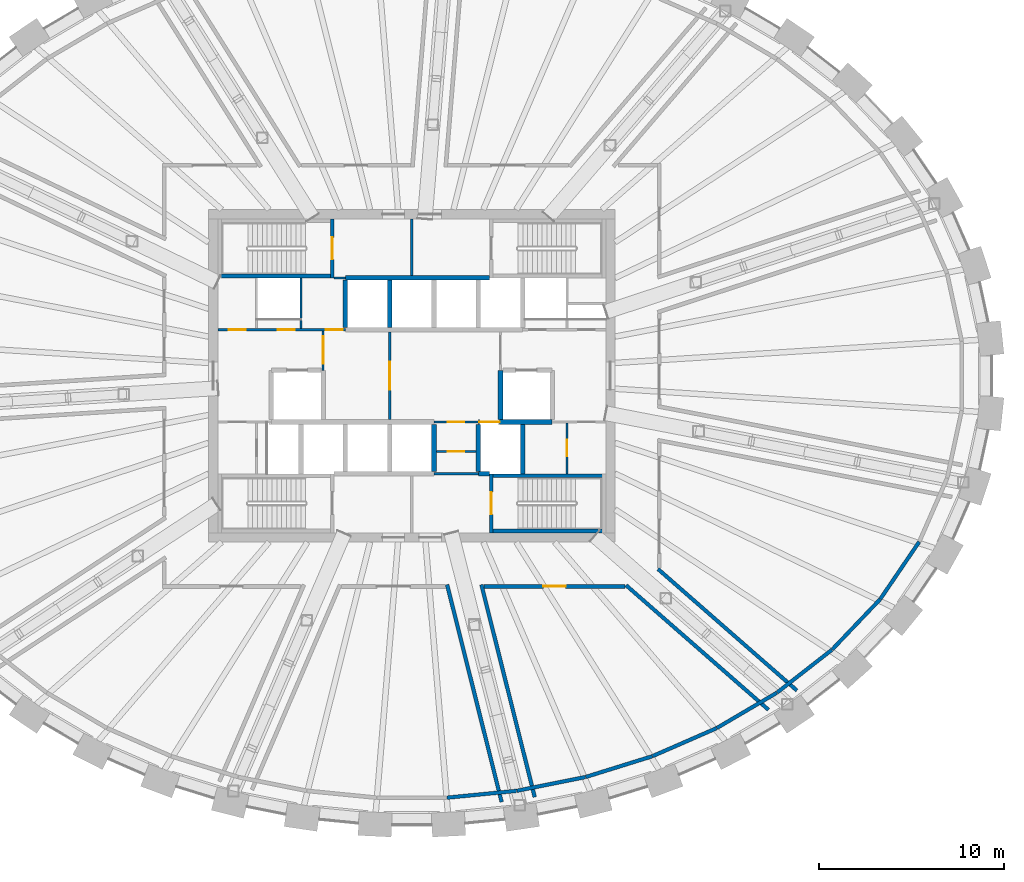
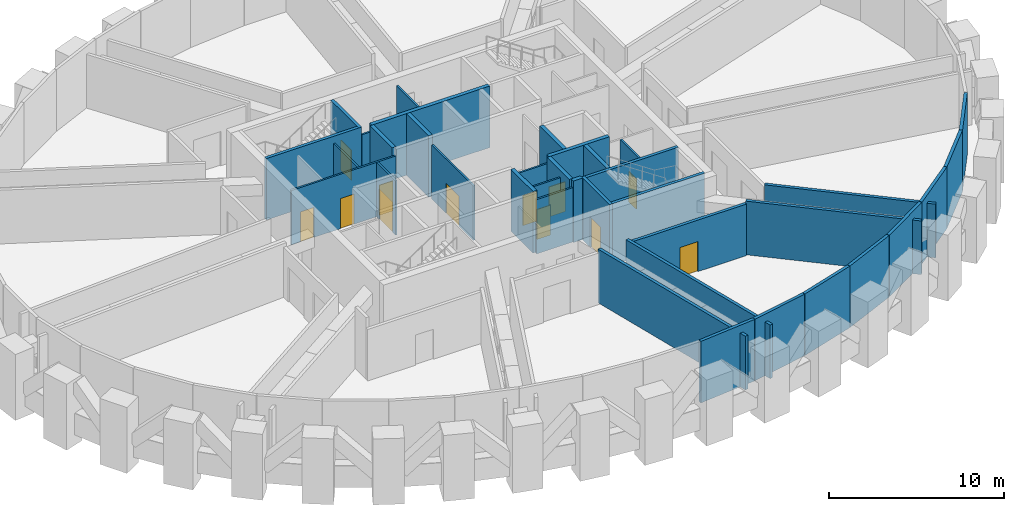
# One storey, part 8 of 12: 37 walls, 12 doors, 12 openings.
"""IFC4 building model written with IfcOpenShell, lengths in metres."""

from ifc_helpers import new_model, si_unit, direction, frame, frame_2d, origin, place, context, subcontext, project, spatial, rectangle, extrude, source, transform, mapped, material, layer, layer_set, type_object, element, fill, save


model = new_model("IFC4")

# Units and contexts
model_context = context("Model", 3, precision=1e-05, world=origin(), true_north=direction((0.0, 1.0)))
body_context = subcontext(model_context, "Body", "Model", "MODEL_VIEW")
ifc_project = project(units=[si_unit("LENGTHUNIT", "METRE"), si_unit("AREAUNIT", "SQUARE_METRE"), si_unit("VOLUMEUNIT", "CUBIC_METRE"), si_unit("PLANEANGLEUNIT", "RADIAN"), si_unit("MASSUNIT", "GRAM", prefix="KILO")], contexts=[model_context])

# Site, building, storey
site_placement = place(None, origin())
site = spatial("IfcSite", under=ifc_project, at=site_placement, CompositionType="ELEMENT")
building_placement = place(site_placement, origin())
building = spatial("IfcBuilding", under=site, at=building_placement, Name="Embergate Tower", CompositionType="ELEMENT")
storey_placement = place(building_placement, frame((0.0, 0.0, 289.0)))
storey = spatial("IfcBuildingStorey", under=building, at=storey_placement, Name="L67", CompositionType="ELEMENT", Elevation=289.0)

# Walls
ifc_material_1 = material(Name="Terracotta louvre cladding on insulated backing", Category="masonry")
ifc_layer_1 = layer(ifc_material_1, 0.199951171875)
ifc_layer_set_1 = layer_set([ifc_layer_1], Name="Terracotta louvre cladding on insulated backing")
wall_type_1 = type_object("IfcWallType", Name="Terracotta louvre wall", PredefinedType="SOLIDWALL", material=ifc_layer_set_1)
shared_shape_1 = source(origin(), body_context, "Body", "SweptSolid", [
    extrude(rectangle(XDim=3.7451171875, YDim=0.199951171875, at=frame_2d((1.87255859375, 0.0))), origin(), (0.0, 0.0, 1.0), 4.300048828125),
])
wall_1_placement = place(storey_placement, frame((27.46142578125, -8.987060546875, 0.0), z_axis=(0.0, 0.0, 1.0), x_axis=(-0.562318936697, -0.826920439602, 0.0)))
element("IfcWall", 1, at=wall_1_placement, inside=storey, type_object=wall_type_1, Name="Louvre wall 41", PredefinedType="SOLIDWALL", context=body_context, shape_type="MappedRepresentation", body=[
    mapped(shared_shape_1, transform((0.0, 0.0, 0.0))),
])
shared_shape_2 = source(origin(), body_context, "Body", "SweptSolid", [
    extrude(rectangle(XDim=3.75390625, YDim=0.199951171875, at=frame_2d((1.876953125, 0.0))), origin(), (0.0, 0.0, 1.0), 4.300048828125),
])
wall_2_placement = place(storey_placement, frame((25.343017578125, -12.099365234375, 0.0), z_axis=(0.0, 0.0, 1.0), x_axis=(-0.690161680949, -0.723655203913, 0.0)))
element("IfcWall", 2, at=wall_2_placement, inside=storey, type_object=wall_type_1, Name="Louvre wall 40", PredefinedType="SOLIDWALL", context=body_context, shape_type="MappedRepresentation", body=[
    mapped(shared_shape_2, transform((0.0, 0.0, 0.0))),
])
shared_shape_3 = source(origin(), body_context, "Body", "SweptSolid", [
    extrude(rectangle(XDim=3.760986328125, YDim=0.199951171875, at=frame_2d((1.88037109375, 0.0))), origin(), (0.0, 0.0, 1.0), 4.300048828125),
])
wall_3_placement = place(storey_placement, frame((22.737548828125, -14.8291015625, 0.0), z_axis=(0.0, 0.0, 1.0), x_axis=(-0.788291977809, -0.615301355209, 0.0)))
element("IfcWall", 3, at=wall_3_placement, inside=storey, type_object=wall_type_1, Name="Louvre wall 39", PredefinedType="SOLIDWALL", context=body_context, shape_type="MappedRepresentation", body=[
    mapped(shared_shape_3, transform((0.0, 0.0, 0.0))),
])
shared_shape_4 = source(origin(), body_context, "Body", "SweptSolid", [
    extrude(rectangle(XDim=3.76708984375, YDim=0.199951171875, at=frame_2d((1.883544921875, 0.0))), origin(), (0.0, 0.0, 1.0), 4.300048828125),
])
wall_4_placement = place(storey_placement, frame((19.756103515625, -17.154541015625, 0.0), z_axis=(0.0, 0.0, 1.0), x_axis=(-0.86206746529, -0.506793533195, 0.0)))
element("IfcWall", 4, at=wall_4_placement, inside=storey, type_object=wall_type_1, Name="Louvre wall 38", PredefinedType="SOLIDWALL", context=body_context, shape_type="MappedRepresentation", body=[
    mapped(shared_shape_4, transform((0.0, 0.0, 0.0))),
])
shared_shape_5 = source(origin(), body_context, "Body", "SweptSolid", [
    extrude(rectangle(XDim=3.771728515625, YDim=0.199951171875, at=frame_2d((1.8857421875, 0.0))), origin(), (0.0, 0.0, 1.0), 4.300048828125),
])
wall_5_placement = place(storey_placement, frame((16.490966796875, -19.072998046875, 0.0), z_axis=(0.0, 0.0, 1.0), x_axis=(-0.916247932971, -0.400611688955, 0.0)))
element("IfcWall", 5, at=wall_5_placement, inside=storey, type_object=wall_type_1, Name="Louvre wall 37", PredefinedType="SOLIDWALL", context=body_context, shape_type="MappedRepresentation", body=[
    mapped(shared_shape_5, transform((0.0, 0.0, 0.0))),
])
shared_shape_6 = source(origin(), body_context, "Body", "SweptSolid", [
    extrude(rectangle(XDim=3.77490234375, YDim=0.199951171875, at=frame_2d((1.887451171875, 0.0))), origin(), (0.0, 0.0, 1.0), 4.300048828125),
])
wall_6_placement = place(storey_placement, frame((13.016357421875, -20.5908203125, 0.0), z_axis=(0.0, 0.0, 1.0), x_axis=(-0.954763782536, -0.297365296491, 0.0)))
element("IfcWall", 6, at=wall_6_placement, inside=storey, type_object=wall_type_1, Name="Louvre wall 36", PredefinedType="SOLIDWALL", context=body_context, shape_type="MappedRepresentation", body=[
    mapped(shared_shape_6, transform((0.0, 0.0, 0.0))),
])
shared_shape_7 = source(origin(), body_context, "Body", "SweptSolid", [
    extrude(rectangle(XDim=3.777099609375, YDim=0.199951171875, at=frame_2d((1.888671875, 0.0))), origin(), (0.0, 0.0, 1.0), 4.300048828125),
])
wall_7_placement = place(storey_placement, frame((9.392822265625, -21.71826171875, 0.0), z_axis=(0.0, 0.0, 1.0), x_axis=(-0.980466152675, -0.196687883354, 0.0)))
element("IfcWall", 7, at=wall_7_placement, inside=storey, type_object=wall_type_1, Name="Louvre wall 35", PredefinedType="SOLIDWALL", context=body_context, shape_type="MappedRepresentation", body=[
    mapped(shared_shape_7, transform((0.0, 0.0, 0.0))),
])
shared_shape_8 = source(origin(), body_context, "Body", "SweptSolid", [
    extrude(rectangle(XDim=3.7783203125, YDim=0.199951171875, at=frame_2d((1.88916015625, 0.0))), origin(), (0.0, 0.0, 1.0), 4.300048828125),
])
wall_8_placement = place(storey_placement, frame((5.669677734375, -22.464111328125, 0.0), z_axis=(0.0, 0.0, 1.0), x_axis=(-0.995203394133, -0.097827421031, 0.0)))
element("IfcWall", 8, at=wall_8_placement, inside=storey, type_object=wall_type_1, Name="Louvre wall 34", PredefinedType="SOLIDWALL", context=body_context, shape_type="MappedRepresentation", body=[
    mapped(shared_shape_8, transform((0.0, 0.0, 0.0))),
])
ifc_material_2 = material(Name="Concrete C50", Category="concrete")
ifc_layer_2 = layer(ifc_material_2, 0.25)
ifc_layer_set_2 = layer_set([ifc_layer_2], Name="Concrete C50")
wall_type_2 = type_object("IfcWallType", Name="Hoistway wall reinforced concrete 250", PredefinedType="SHEAR", material=ifc_layer_set_2)
shared_shape_9 = source(origin(), body_context, "Body", "SweptSolid", [
    extrude(rectangle(XDim=2.675048828125, YDim=0.25, at=frame_2d((1.33740234375, 0.0))), origin(), (0.0, 0.0, 1.0), 4.300048828125),
])
for number, where, z_axis, x_axis, name in (
    (9, (6.0, -5.300048828125, 0.0), (0.0, 0.0, 1.0), (0.0, 1.0, 0.0), "HW-1 wall"),
    (10, (4.800048828125, -2.375, 0.0), (0.0, 0.0, 1.0), (0.0, 1.0, 0.0), "HW-1 wall"),
):
    element("IfcWall", number, at=place(storey_placement, frame(where, z_axis=z_axis, x_axis=x_axis)), inside=storey, type_object=wall_type_2, Name=name, PredefinedType="SHEAR", context=body_context, shape_type="MappedRepresentation", body=[
        mapped(shared_shape_9, transform((0.0, 0.0, 0.0))),
    ])
ifc_layer_3 = layer(ifc_material_2, 0.199951171875)
ifc_layer_set_3 = layer_set([ifc_layer_3], Name="Concrete C50")
wall_type_3 = type_object("IfcWallType", Name="Stair enclosure wall reinforced concrete 250", PredefinedType="SHEAR", material=ifc_layer_set_3)
shared_shape_10 = source(origin(), body_context, "Body", "SweptSolid", [
    extrude(rectangle(XDim=6.300048828125, YDim=0.199951171875, at=frame_2d((3.14990234375, 0.0))), origin(), (0.0, 0.0, 1.0), 4.300048828125),
])
for number, where, z_axis, x_axis, name in (
    (11, (-4.199951171875, 5.39990234375, 0.0), (0.0, 0.0, 1.0), (-1.0, 0.0, 0.0), "SE-1 wall"),
    (12, (4.199951171875, -5.39990234375, 0.0), (0.0, 0.0, 1.0), (1.0, 0.0, 0.0), "SE-1 wall"),
):
    element("IfcWall", number, at=place(storey_placement, frame(where, z_axis=z_axis, x_axis=x_axis)), inside=storey, type_object=wall_type_3, Name=name, PredefinedType="SHEAR", context=body_context, shape_type="MappedRepresentation", body=[
        mapped(shared_shape_10, transform((0.0, 0.0, 0.0))),
    ])
shared_shape_11 = source(origin(), body_context, "Body", "SweptSolid", [
    extrude(rectangle(XDim=2.550048828125, YDim=0.25, at=frame_2d((1.27490234375, 0.0))), origin(), (0.0, 0.0, 1.0), 4.300048828125),
])
for number, where, z_axis, x_axis, name in (
    (13, (-1.199951171875, 2.625, 0.0), (0.0, 0.0, 1.0), (0.0, 1.0, 0.0), "HW-1 wall"),
    (14, (-3.60009765625, 5.175048828125, 0.0), (0.0, 0.0, 1.0), (0.0, -1.0, 0.0), "HW-1 wall"),
    (15, (1.199951171875, -5.175048828125, 0.0), (0.0, 0.0, 1.0), (0.0, 1.0, 0.0), "HW-1 wall"),
    (16, (3.60009765625, -2.625, 0.0), (0.0, 0.0, 1.0), (0.0, -1.0, 0.0), "HW-1 wall"),
):
    element("IfcWall", number, at=place(storey_placement, frame(where, z_axis=z_axis, x_axis=x_axis)), inside=storey, type_object=wall_type_2, Name=name, PredefinedType="SHEAR", context=body_context, shape_type="MappedRepresentation", body=[
        mapped(shared_shape_11, transform((0.0, 0.0, 0.0))),
    ])

# Wall, opening, door
shared_shape_12 = source(origin(), body_context, "Body", "SweptSolid", [
    extrude(rectangle(XDim=3.199951171875, YDim=0.199951171875, at=frame_2d((1.60009765625, 0.0))), origin(), (0.0, 0.0, 1.0), 4.300048828125),
])
wall_9_placement = place(storey_placement, frame((-4.300048828125, 5.300048828125, 0.0), z_axis=(0.0, 0.0, 1.0), x_axis=(0.0, 1.0, 0.0)))
wall_9 = element("IfcWall", 17, at=wall_9_placement, inside=storey, type_object=wall_type_3, Name="SE-1 wall", PredefinedType="SHEAR", context=body_context, shape_type="MappedRepresentation", body=[
    mapped(shared_shape_12, transform((0.0, 0.0, 0.0))),
])
shared_shape_13 = source(origin(), body_context, "Body", "SweptSolid", [
    extrude(rectangle(XDim=1.199951171875, YDim=2.10009765625, at=frame_2d((0.60009765625, 1.050048828125))), frame((0.0, 0.10986328125, 0.0), z_axis=(0.0, -1.0, 0.0), x_axis=(1.0, 0.0, 0.0)), (0.0, 0.0, 1.0), 0.219970703125),
])
opening_1_placement = place(wall_9_placement, frame((1.0, 0.0, 0.0)))
opening_1 = element("IfcOpeningElement", 18, at=opening_1_placement, cuts=wall_9, Name="Opening IF-2", PredefinedType="OPENING", context=body_context, shape_type="MappedRepresentation", body=[
    mapped(shared_shape_13, transform((0.0, 0.0, 0.0))),
])
ifc_material_3 = material(Name="Stair enclosure door 1200")
door_type_1 = type_object("IfcDoorType", Name="Stair enclosure door 1200", OperationType="SINGLE_SWING_LEFT", PredefinedType="DOOR", material=ifc_material_3)
shared_shape_14 = source(origin(), body_context, "Body", "SweptSolid", [
    extrude(rectangle(XDim=1.199951171875, YDim=2.10009765625, at=frame_2d((0.60009765625, 1.050048828125))), frame((0.0, 0.02490234375, 0.0), z_axis=(0.0, -1.0, 0.0), x_axis=(1.0, 0.0, 0.0)), (0.0, 0.0, 1.0), 0.050048828125),
])
door_1_placement = place(opening_1_placement, origin())
door_1 = element("IfcDoor", 19, at=door_1_placement, inside=storey, type_object=door_type_1, Name="IF-2 door", OperationType="SINGLE_SWING_LEFT", OverallHeight=2.10009765625, OverallWidth=1.199951171875, PredefinedType="DOOR", context=body_context, shape_type="MappedRepresentation", body=[
    mapped(shared_shape_14, transform((0.0, 0.0, 0.0))),
])
fill(opening_1, door_1)

wall_10_placement = place(storey_placement, frame((4.300048828125, -5.300048828125, 0.0), z_axis=(0.0, 0.0, 1.0), x_axis=(0.0, -1.0, 0.0)))
wall_10 = element("IfcWall", 20, at=wall_10_placement, inside=storey, type_object=wall_type_3, Name="SE-1 wall", PredefinedType="SHEAR", context=body_context, shape_type="MappedRepresentation", body=[
    mapped(shared_shape_12, transform((0.0, 0.0, 0.0))),
])
opening_2_placement = place(wall_10_placement, frame((1.0, 0.0, 0.0)))
opening_2 = element("IfcOpeningElement", 21, at=opening_2_placement, cuts=wall_10, Name="Opening IF-2", PredefinedType="OPENING", context=body_context, shape_type="MappedRepresentation", body=[
    mapped(shared_shape_13, transform((0.0, 0.0, 0.0))),
])
door_2_placement = place(opening_2_placement, origin())
door_2 = element("IfcDoor", 22, at=door_2_placement, inside=storey, type_object=door_type_1, Name="IF-2 door", OperationType="SINGLE_SWING_LEFT", OverallHeight=2.10009765625, OverallWidth=1.199951171875, PredefinedType="DOOR", context=body_context, shape_type="MappedRepresentation", body=[
    mapped(shared_shape_14, transform((0.0, 0.0, 0.0))),
])
fill(opening_2, door_2)

# Wall
ifc_material_4 = material(Name="Core partition blockwork 120")
ifc_layer_4 = layer(ifc_material_4, 0.1201171875)
ifc_layer_set_4 = layer_set([ifc_layer_4], Name="Core partition blockwork 120")
wall_type_4 = type_object("IfcWallType", Name="Core partition blockwork 120", PredefinedType="PARTITIONING", material=ifc_layer_set_4)
shared_shape_15 = source(origin(), body_context, "Body", "SweptSolid", [
    extrude(rectangle(XDim=2.739990234375, YDim=0.1201171875, at=frame_2d((1.3701171875, 0.0))), origin(), (0.0, 0.0, 1.0), 3.800048828125),
])
wall_11_placement = place(storey_placement, frame((-6.0, 2.56005859375, 0.0), z_axis=(0.0, 0.0, 1.0), x_axis=(0.0, 1.0, 0.0)))
element("IfcWall", 23, at=wall_11_placement, inside=storey, type_object=wall_type_4, Name="IP-3 wall", PredefinedType="PARTITIONING", context=body_context, shape_type="MappedRepresentation", body=[
    mapped(shared_shape_15, transform((0.0, 0.0, 0.0))),
])

# Wall, opening, door
wall_12_placement = place(storey_placement, frame((8.39990234375, -5.300048828125, 0.0), z_axis=(0.0, 0.0, 1.0), x_axis=(0.0, 1.0, 0.0)))
wall_12 = element("IfcWall", 24, at=wall_12_placement, inside=storey, type_object=wall_type_4, Name="IP-3 wall", PredefinedType="PARTITIONING", context=body_context, shape_type="MappedRepresentation", body=[
    mapped(shared_shape_15, transform((0.0, 0.0, 0.0))),
])
shared_shape_16 = source(origin(), body_context, "Body", "SweptSolid", [
    extrude(rectangle(XDim=0.89990234375, YDim=2.10009765625, at=frame_2d((0.449951171875, 1.050048828125))), frame((0.0, 0.070068359375, 0.0), z_axis=(0.0, -1.0, 0.0), x_axis=(1.0, 0.0, 0.0)), (0.0, 0.0, 1.0), 0.14013671875),
])
opening_3_placement = place(wall_12_placement, frame((0.949951171875, 0.0, 0.0)))
opening_3 = element("IfcOpeningElement", 25, at=opening_3_placement, cuts=wall_12, Name="Opening ID-1", PredefinedType="OPENING", context=body_context, shape_type="MappedRepresentation", body=[
    mapped(shared_shape_16, transform((0.0, 0.0, 0.0))),
])
ifc_material_5 = material(Name="Interior door 900")
door_type_2 = type_object("IfcDoorType", Name="Interior door 900", OperationType="SINGLE_SWING_LEFT", PredefinedType="DOOR", material=ifc_material_5)
shared_shape_17 = source(origin(), body_context, "Body", "SweptSolid", [
    extrude(rectangle(XDim=0.89990234375, YDim=2.10009765625, at=frame_2d((0.449951171875, 1.050048828125))), frame((0.0, 0.02490234375, 0.0), z_axis=(0.0, -1.0, 0.0), x_axis=(1.0, 0.0, 0.0)), (0.0, 0.0, 1.0), 0.050048828125),
])
door_3_placement = place(opening_3_placement, origin())
door_3 = element("IfcDoor", 26, at=door_3_placement, inside=storey, type_object=door_type_2, Name="ID-1 door", OperationType="SINGLE_SWING_LEFT", OverallHeight=2.10009765625, OverallWidth=0.89990234375, PredefinedType="DOOR", context=body_context, shape_type="MappedRepresentation", body=[
    mapped(shared_shape_17, transform((0.0, 0.0, 0.0))),
])
fill(opening_3, door_3)

shared_shape_18 = source(origin(), body_context, "Body", "SweptSolid", [
    extrude(rectangle(XDim=4.75, YDim=0.1201171875, at=frame_2d((2.375, 0.0))), origin(), (0.0, 0.0, 1.0), 3.800048828125),
])
wall_13_placement = place(storey_placement, frame((-1.199951171875, -2.375, 0.0), z_axis=(0.0, 0.0, 1.0), x_axis=(0.0, 1.0, 0.0)))
wall_13 = element("IfcWall", 27, at=wall_13_placement, inside=storey, type_object=wall_type_4, Name="IP-3 wall", PredefinedType="PARTITIONING", context=body_context, shape_type="MappedRepresentation", body=[
    mapped(shared_shape_18, transform((0.0, 0.0, 0.0))),
])
shared_shape_19 = source(origin(), body_context, "Body", "SweptSolid", [
    extrude(rectangle(XDim=1.5, YDim=2.10009765625, at=frame_2d((0.75, 1.050048828125))), frame((0.0, 0.070068359375, 0.0), z_axis=(0.0, -1.0, 0.0), x_axis=(1.0, 0.0, 0.0)), (0.0, 0.0, 1.0), 0.14013671875),
])
opening_4_placement = place(wall_13_placement, frame((1.625, 0.0, 0.0)))
opening_4 = element("IfcOpeningElement", 28, at=opening_4_placement, cuts=wall_13, Name="Opening IF-3", PredefinedType="OPENING", context=body_context, shape_type="MappedRepresentation", body=[
    mapped(shared_shape_19, transform((0.0, 0.0, 0.0))),
])
ifc_material_6 = material(Name="Lobby fire door pair 1500")
door_type_3 = type_object("IfcDoorType", Name="Lobby fire door pair 1500", OperationType="DOUBLE_DOOR_SINGLE_SWING", PredefinedType="DOOR", material=ifc_material_6)
shared_shape_20 = source(origin(), body_context, "Body", "SweptSolid", [
    extrude(rectangle(XDim=1.5, YDim=2.10009765625, at=frame_2d((0.75, 1.050048828125))), frame((0.0, 0.02490234375, 0.0), z_axis=(0.0, -1.0, 0.0), x_axis=(1.0, 0.0, 0.0)), (0.0, 0.0, 1.0), 0.050048828125),
])
door_4_placement = place(opening_4_placement, origin())
door_4 = element("IfcDoor", 29, at=door_4_placement, inside=storey, type_object=door_type_3, Name="IF-3 door", OperationType="DOUBLE_DOOR_SINGLE_SWING", OverallHeight=2.10009765625, OverallWidth=1.5, PredefinedType="DOOR", context=body_context, shape_type="MappedRepresentation", body=[
    mapped(shared_shape_20, transform((0.0, 0.0, 0.0))),
])
fill(opening_4, door_4)

# Wall
shared_shape_21 = source(origin(), body_context, "Body", "SweptSolid", [
    extrude(rectangle(XDim=0.599853515625, YDim=0.25, at=frame_2d((0.2998046875, 0.0))), origin(), (0.0, 0.0, 1.0), 4.300048828125),
])
wall_14_placement = place(storey_placement, frame((3.60009765625, -5.300048828125, 0.0), z_axis=(0.0, 0.0, 1.0), x_axis=(1.0, 0.0, 0.0)))
element("IfcWall", 30, at=wall_14_placement, inside=storey, type_object=wall_type_2, Name="HW-1 wall", PredefinedType="SHEAR", context=body_context, shape_type="MappedRepresentation", body=[
    mapped(shared_shape_21, transform((0.0, 0.0, 0.0))),
])

# Wall, openings, doors
shared_shape_22 = source(origin(), body_context, "Body", "SweptSolid", [
    extrude(rectangle(XDim=6.89990234375, YDim=0.1201171875, at=frame_2d((3.449951171875, 0.0))), origin(), (0.0, 0.0, 1.0), 3.800048828125),
])
wall_15_placement = place(storey_placement, frame((-10.5, 2.5, 0.0), z_axis=(0.0, 0.0, 1.0), x_axis=(1.0, 0.0, 0.0)))
wall_15 = element("IfcWall", 31, at=wall_15_placement, inside=storey, type_object=wall_type_4, Name="IP-3 wall", PredefinedType="PARTITIONING", context=body_context, shape_type="MappedRepresentation", body=[
    mapped(shared_shape_22, transform((0.0, 0.0, 0.0))),
])
opening_5_placement = place(wall_15_placement, frame((3.25, 0.0, 0.0)))
opening_5 = element("IfcOpeningElement", 32, at=opening_5_placement, cuts=wall_15, Name="Opening ID-1", PredefinedType="OPENING", context=body_context, shape_type="MappedRepresentation", body=[
    mapped(shared_shape_16, transform((0.0, 0.0, 0.0))),
])
opening_6_placement = place(wall_15_placement, frame((5.85009765625, 0.0, 0.0)))
opening_6 = element("IfcOpeningElement", 33, at=opening_6_placement, cuts=wall_15, Name="Opening ID-1", PredefinedType="OPENING", context=body_context, shape_type="MappedRepresentation", body=[
    mapped(shared_shape_16, transform((0.0, 0.0, 0.0))),
])
opening_7_placement = place(wall_15_placement, frame((0.60009765625, 0.0, 0.0)))
opening_7 = element("IfcOpeningElement", 34, at=opening_7_placement, cuts=wall_15, Name="Opening ID-1", PredefinedType="OPENING", context=body_context, shape_type="MappedRepresentation", body=[
    mapped(shared_shape_16, transform((0.0, 0.0, 0.0))),
])
door_5_placement = place(opening_5_placement, origin())
door_5 = element("IfcDoor", 35, at=door_5_placement, inside=storey, type_object=door_type_2, Name="ID-1 door", OperationType="SINGLE_SWING_LEFT", OverallHeight=2.10009765625, OverallWidth=0.89990234375, PredefinedType="DOOR", context=body_context, shape_type="MappedRepresentation", body=[
    mapped(shared_shape_17, transform((0.0, 0.0, 0.0))),
])
fill(opening_5, door_5)
door_6_placement = place(opening_6_placement, origin())
door_6 = element("IfcDoor", 36, at=door_6_placement, inside=storey, type_object=door_type_2, Name="ID-1 door", OperationType="SINGLE_SWING_RIGHT", OverallHeight=2.10009765625, OverallWidth=0.89990234375, PredefinedType="DOOR", context=body_context, shape_type="MappedRepresentation", body=[
    mapped(shared_shape_17, transform((0.0, 0.0, 0.0))),
])
fill(opening_6, door_6)
door_7_placement = place(opening_7_placement, origin())
door_7 = element("IfcDoor", 37, at=door_7_placement, inside=storey, type_object=door_type_2, Name="ID-1 door", OperationType="SINGLE_SWING_RIGHT", OverallHeight=2.10009765625, OverallWidth=0.89990234375, PredefinedType="DOOR", context=body_context, shape_type="MappedRepresentation", body=[
    mapped(shared_shape_17, transform((0.0, 0.0, 0.0))),
])
fill(opening_7, door_7)

# Wall
shared_shape_23 = source(origin(), body_context, "Body", "SweptSolid", [
    extrude(rectangle(XDim=7.800048828125, YDim=0.25, at=frame_2d((3.89990234375, 0.0))), origin(), (0.0, 0.0, 1.0), 4.300048828125),
])
wall_16_placement = place(storey_placement, frame((4.199951171875, 5.300048828125, 0.0), z_axis=(0.0, 0.0, 1.0), x_axis=(-1.0, 0.0, 0.0)))
element("IfcWall", 38, at=wall_16_placement, inside=storey, type_object=wall_type_2, Name="HW-1 wall", PredefinedType="SHEAR", context=body_context, shape_type="MappedRepresentation", body=[
    mapped(shared_shape_23, transform((0.0, 0.0, 0.0))),
])

# Wall, opening, door
shared_shape_24 = source(origin(), body_context, "Body", "SweptSolid", [
    extrude(rectangle(XDim=4.0, YDim=0.25, at=frame_2d((2.0, 0.0))), origin(), (0.0, 0.0, 1.0), 4.300048828125),
])
wall_17_placement = place(storey_placement, frame((7.60009765625, -2.5, 0.0), z_axis=(0.0, 0.0, 1.0), x_axis=(-1.0, 0.0, 0.0)))
wall_17 = element("IfcWall", 39, at=wall_17_placement, inside=storey, type_object=wall_type_2, Name="HW-1 wall", PredefinedType="SHEAR", context=body_context, shape_type="MappedRepresentation", body=[
    mapped(shared_shape_24, transform((0.0, 0.0, 0.0))),
])
shared_shape_25 = source(origin(), body_context, "Body", "SweptSolid", [
    extrude(rectangle(XDim=1.10009765625, YDim=2.10009765625, at=frame_2d((0.550048828125, 1.050048828125))), frame((0.0, 0.135009765625, 0.0), z_axis=(0.0, -1.0, 0.0), x_axis=(1.0, 0.0, 0.0)), (0.0, 0.0, 1.0), 0.27001953125),
])
opening_8_placement = place(wall_17_placement, frame((2.85009765625, 0.0, 0.0)))
opening_8 = element("IfcOpeningElement", 40, at=opening_8_placement, cuts=wall_17, Name="Opening LD", PredefinedType="OPENING", context=body_context, shape_type="MappedRepresentation", body=[
    mapped(shared_shape_25, transform((0.0, 0.0, 0.0))),
])
ifc_material_7 = material(Name="Landing door sliding 1100")
door_type_4 = type_object("IfcDoorType", Name="Landing door sliding 1100", OperationType="SLIDING_TO_LEFT", PredefinedType="DOOR", material=ifc_material_7)
shared_shape_26 = source(origin(), body_context, "Body", "SweptSolid", [
    extrude(rectangle(XDim=1.10009765625, YDim=2.10009765625, at=frame_2d((0.550048828125, 1.050048828125))), frame((0.0, 0.02490234375, 0.0), z_axis=(0.0, -1.0, 0.0), x_axis=(1.0, 0.0, 0.0)), (0.0, 0.0, 1.0), 0.050048828125),
])
door_8_placement = place(opening_8_placement, origin())
door_8 = element("IfcDoor", 41, at=door_8_placement, inside=storey, type_object=door_type_4, Name="LD door", OperationType="SLIDING_TO_LEFT", OverallHeight=2.10009765625, OverallWidth=1.10009765625, PredefinedType="DOOR", context=body_context, shape_type="MappedRepresentation", body=[
    mapped(shared_shape_26, transform((0.0, 0.0, 0.0))),
])
fill(opening_8, door_8)

shared_shape_27 = source(origin(), body_context, "Body", "SweptSolid", [
    extrude(rectangle(XDim=2.139892578125, YDim=0.1201171875, at=frame_2d((1.06982421875, 0.0))), origin(), (0.0, 0.0, 1.0), 3.800048828125),
])
wall_18_placement = place(storey_placement, frame((-4.800048828125, 2.43994140625, 0.0), z_axis=(0.0, 0.0, 1.0), x_axis=(0.0, -1.0, 0.0)))
wall_18 = element("IfcWall", 42, at=wall_18_placement, inside=storey, type_object=wall_type_4, Name="IP-3 wall", PredefinedType="PARTITIONING", context=body_context, shape_type="MappedRepresentation", body=[
    mapped(shared_shape_27, transform((0.0, 0.0, 0.0))),
])
opening_9_placement = place(wall_18_placement, frame((0.2900390625, 0.0, 0.0)))
opening_9 = element("IfcOpeningElement", 43, at=opening_9_placement, cuts=wall_18, Name="Opening IF-3", PredefinedType="OPENING", context=body_context, shape_type="MappedRepresentation", body=[
    mapped(shared_shape_19, transform((0.0, 0.0, 0.0))),
])
door_9_placement = place(opening_9_placement, origin())
door_9 = element("IfcDoor", 44, at=door_9_placement, inside=storey, type_object=door_type_3, Name="IF-3 door", OperationType="DOUBLE_DOOR_SINGLE_SWING", OverallHeight=2.10009765625, OverallWidth=1.5, PredefinedType="DOOR", context=body_context, shape_type="MappedRepresentation", body=[
    mapped(shared_shape_20, transform((0.0, 0.0, 0.0))),
])
fill(opening_9, door_9)

shared_shape_28 = source(origin(), body_context, "Body", "SweptSolid", [
    extrude(rectangle(XDim=2.400146484375, YDim=0.1201171875, at=frame_2d((1.2001953125, 0.0))), origin(), (0.0, 0.0, 1.0), 3.800048828125),
])
wall_19_placement = place(storey_placement, frame((1.199951171875, -2.5, 0.0), z_axis=(0.0, 0.0, 1.0), x_axis=(1.0, 0.0, 0.0)))
wall_19 = element("IfcWall", 45, at=wall_19_placement, inside=storey, type_object=wall_type_4, Name="IP-3 wall", PredefinedType="PARTITIONING", context=body_context, shape_type="MappedRepresentation", body=[
    mapped(shared_shape_28, transform((0.0, 0.0, 0.0))),
])
opening_10_placement = place(wall_19_placement, frame((0.75, 0.0, 0.0)))
opening_10 = element("IfcOpeningElement", 46, at=opening_10_placement, cuts=wall_19, Name="Opening ID-1", PredefinedType="OPENING", context=body_context, shape_type="MappedRepresentation", body=[
    mapped(shared_shape_16, transform((0.0, 0.0, 0.0))),
])
door_10_placement = place(opening_10_placement, origin())
door_10 = element("IfcDoor", 47, at=door_10_placement, inside=storey, type_object=door_type_2, Name="ID-1 door", OperationType="SINGLE_SWING_RIGHT", OverallHeight=2.10009765625, OverallWidth=0.89990234375, PredefinedType="DOOR", context=body_context, shape_type="MappedRepresentation", body=[
    mapped(shared_shape_17, transform((0.0, 0.0, 0.0))),
])
fill(opening_10, door_10)

# Walls
wall_20_placement = place(storey_placement, frame((3.60009765625, -5.300048828125, 0.0), z_axis=(0.0, 0.0, 1.0), x_axis=(-1.0, 0.0, 0.0)))
element("IfcWall", 48, at=wall_20_placement, inside=storey, type_object=wall_type_4, Name="IP-3 wall", PredefinedType="PARTITIONING", context=body_context, shape_type="MappedRepresentation", body=[
    mapped(shared_shape_28, transform((0.0, 0.0, 0.0))),
])
shared_shape_29 = source(origin(), body_context, "Body", "SweptSolid", [
    extrude(rectangle(XDim=3.074951171875, YDim=0.1201171875, at=frame_2d((1.53759765625, 0.0))), origin(), (0.0, 0.0, 1.0), 3.800048828125),
])
wall_21_placement = place(storey_placement, frame((0.0, 5.425048828125, 0.0), z_axis=(0.0, 0.0, 1.0), x_axis=(0.0, 1.0, 0.0)))
element("IfcWall", 49, at=wall_21_placement, inside=storey, type_object=wall_type_4, Name="IP-3 wall", PredefinedType="PARTITIONING", context=body_context, shape_type="MappedRepresentation", body=[
    mapped(shared_shape_29, transform((0.0, 0.0, 0.0))),
])
shared_shape_30 = source(origin(), body_context, "Body", "SweptSolid", [
    extrude(rectangle(XDim=0.599853515625, YDim=0.1201171875, at=frame_2d((0.2998046875, 0.0))), origin(), (0.0, 0.0, 1.0), 3.800048828125),
])
wall_22_placement = place(storey_placement, frame((-4.199951171875, 5.300048828125, 0.0), z_axis=(0.0, 0.0, 1.0), x_axis=(1.0, 0.0, 0.0)))
element("IfcWall", 50, at=wall_22_placement, inside=storey, type_object=wall_type_4, Name="IP-3 wall", PredefinedType="PARTITIONING", context=body_context, shape_type="MappedRepresentation", body=[
    mapped(shared_shape_30, transform((0.0, 0.0, 0.0))),
])

# Wall, opening, door
shared_shape_31 = source(origin(), body_context, "Body", "SweptSolid", [
    extrude(rectangle(XDim=2.150146484375, YDim=0.1201171875, at=frame_2d((1.0751953125, 0.0))), origin(), (0.0, 0.0, 1.0), 3.800048828125),
])
wall_23_placement = place(storey_placement, frame((3.47509765625, -4.095947265625, 0.0), z_axis=(0.0, 0.0, 1.0), x_axis=(-1.0, 0.0, 0.0)))
wall_23 = element("IfcWall", 51, at=wall_23_placement, inside=storey, type_object=wall_type_4, Name="IP-3 wall", PredefinedType="PARTITIONING", context=body_context, shape_type="MappedRepresentation", body=[
    mapped(shared_shape_31, transform((0.0, 0.0, 0.0))),
])
opening_11_placement = place(wall_23_placement, frame((0.625, 0.0, 0.0)))
opening_11 = element("IfcOpeningElement", 52, at=opening_11_placement, cuts=wall_23, Name="Opening ID-1", PredefinedType="OPENING", context=body_context, shape_type="MappedRepresentation", body=[
    mapped(shared_shape_16, transform((0.0, 0.0, 0.0))),
])
door_11_placement = place(opening_11_placement, origin())
door_11 = element("IfcDoor", 53, at=door_11_placement, inside=storey, type_object=door_type_2, Name="ID-1 door", OperationType="SINGLE_SWING_LEFT", OverallHeight=2.10009765625, OverallWidth=0.89990234375, PredefinedType="DOOR", context=body_context, shape_type="MappedRepresentation", body=[
    mapped(shared_shape_17, transform((0.0, 0.0, 0.0))),
])
fill(opening_11, door_11)

# Walls
shared_shape_32 = source(origin(), body_context, "Body", "SweptSolid", [
    extrude(rectangle(XDim=6.298095703125, YDim=0.199951171875, at=frame_2d((3.14892578125, 0.0))), origin(), (0.0, 0.0, 1.0), 4.300048828125),
])
wall_24_placement = place(storey_placement, frame((4.201904296875, -8.39990234375, 0.0), z_axis=(0.0, 0.0, 1.0), x_axis=(1.0, 0.0, 0.0)))
element("IfcWall", 54, at=wall_24_placement, inside=storey, type_object=wall_type_3, Name="SE-1 wall", PredefinedType="SHEAR", context=body_context, shape_type="MappedRepresentation", body=[
    mapped(shared_shape_32, transform((0.0, 0.0, 0.0))),
])
ifc_material_8 = material(Name="Blockwork, plastered", Category="masonry")
ifc_layer_5 = layer(ifc_material_8, 0.199951171875)
ifc_layer_set_5 = layer_set([ifc_layer_5], Name="Blockwork, plastered")
wall_type_5 = type_object("IfcWallType", Name="Fire partition wall 200 block", PredefinedType="PARTITIONING", material=ifc_layer_set_5)
shared_shape_33 = source(origin(), body_context, "Body", "SweptSolid", [
    extrude(rectangle(XDim=12.125732421875, YDim=0.199951171875, at=frame_2d((6.06298828125, 0.0))), origin(), (0.0, 0.0, 1.0), 3.75),
])
wall_25_placement = place(storey_placement, frame((1.909912109375, -11.302978515625, 0.0), z_axis=(0.0, 0.0, 1.0), x_axis=(0.243459306498, -0.969911112463, 0.0)))
element("IfcWall", 55, at=wall_25_placement, inside=storey, type_object=wall_type_5, Name="Partition 022", PredefinedType="PARTITIONING", context=body_context, shape_type="MappedRepresentation", body=[
    mapped(shared_shape_33, transform((0.0, 0.0, 0.0))),
])
shared_shape_34 = source(origin(), body_context, "Body", "SweptSolid", [
    extrude(rectangle(XDim=11.852783203125, YDim=0.199951171875, at=frame_2d((5.92626953125, 0.0))), origin(), (0.0, 0.0, 1.0), 3.75),
])
wall_26_placement = place(storey_placement, frame((6.652099609375, -22.799072265625, 0.0), z_axis=(0.0, 0.0, 1.0), x_axis=(-0.243485426288, 0.969904555709, 0.0)))
element("IfcWall", 56, at=wall_26_placement, inside=storey, type_object=wall_type_5, Name="Partition 023", PredefinedType="PARTITIONING", context=body_context, shape_type="MappedRepresentation", body=[
    mapped(shared_shape_34, transform((0.0, 0.0, 0.0))),
])

# Wall, opening, door
shared_shape_35 = source(origin(), body_context, "Body", "SweptSolid", [
    extrude(rectangle(XDim=7.64013671875, YDim=0.199951171875, at=frame_2d((3.820068359375, 0.0))), origin(), (0.0, 0.0, 1.0), 3.60009765625),
])
wall_27_placement = place(storey_placement, frame((11.5400390625, -11.39990234375, 0.0), z_axis=(0.0, 0.0, 1.0), x_axis=(-1.0, 0.0, 0.0)))
wall_27 = element("IfcWall", 57, at=wall_27_placement, inside=storey, type_object=wall_type_5, Name="Partition 026", PredefinedType="PARTITIONING", context=body_context, shape_type="MappedRepresentation", body=[
    mapped(shared_shape_35, transform((0.0, 0.0, 0.0))),
])
opening_12_placement = place(wall_27_placement, frame((3.219970703125, 0.0, 0.0)))
opening_12 = element("IfcOpeningElement", 58, at=opening_12_placement, cuts=wall_27, Name="Opening DS-255", PredefinedType="OPENING", context=body_context, shape_type="MappedRepresentation", body=[
    mapped(shared_shape_13, transform((0.0, 0.0, 0.0))),
])
ifc_material_9 = material(Name="Timber door leaf, steel frame", Category="steel")
door_type_5 = type_object("IfcDoorType", Name="Plant door 1200x2100", OperationType="SINGLE_SWING_LEFT", PredefinedType="DOOR", material=ifc_material_9)
shared_shape_36 = source(origin(), body_context, "Body", "SweptSolid", [
    extrude(rectangle(XDim=1.199951171875, YDim=2.10009765625, at=frame_2d((0.60009765625, 1.050048828125))), frame((0.0, 0.02490234375, 0.0), z_axis=(0.0, -1.0, 0.0), x_axis=(1.0, 0.0, 0.0)), (0.0, 0.0, 1.0), 0.050048828125),
])
door_12_placement = place(opening_12_placement, origin())
door_12 = element("IfcDoor", 59, at=door_12_placement, inside=storey, type_object=door_type_5, Name="Door to Water tank room", OperationType="SINGLE_SWING_LEFT", OverallHeight=2.10009765625, OverallWidth=1.199951171875, PredefinedType="DOOR", context=body_context, shape_type="MappedRepresentation", body=[
    mapped(shared_shape_36, transform((0.0, 0.0, 0.0))),
])
fill(opening_12, door_12)

# Walls
shared_shape_37 = source(origin(), body_context, "Body", "SweptSolid", [
    extrude(rectangle(XDim=10.237060546875, YDim=0.199951171875, at=frame_2d((5.11865234375, 0.0))), origin(), (0.0, 0.0, 1.0), 3.75),
])
wall_28_placement = place(storey_placement, frame((11.594970703125, -11.333984375, 0.0), z_axis=(0.0, 0.0, 1.0), x_axis=(0.752759857245, -0.65829522049, 0.0)))
element("IfcWall", 60, at=wall_28_placement, inside=storey, type_object=wall_type_5, Name="Partition 027", PredefinedType="PARTITIONING", context=body_context, shape_type="MappedRepresentation", body=[
    mapped(shared_shape_37, transform((0.0, 0.0, 0.0))),
])
shared_shape_38 = source(origin(), body_context, "Body", "SweptSolid", [
    extrude(rectangle(XDim=9.989013671875, YDim=0.199951171875, at=frame_2d((4.99462890625, 0.0))), origin(), (0.0, 0.0, 1.0), 3.75),
])
wall_29_placement = place(storey_placement, frame((20.843994140625, -17.032958984375, 0.0), z_axis=(0.0, 0.0, 1.0), x_axis=(-0.752737161738, 0.658321171875, 0.0)))
element("IfcWall", 61, at=wall_29_placement, inside=storey, type_object=wall_type_5, Name="Partition 034", PredefinedType="PARTITIONING", context=body_context, shape_type="MappedRepresentation", body=[
    mapped(shared_shape_38, transform((0.0, 0.0, 0.0))),
])

save(model, "model.ifc")
